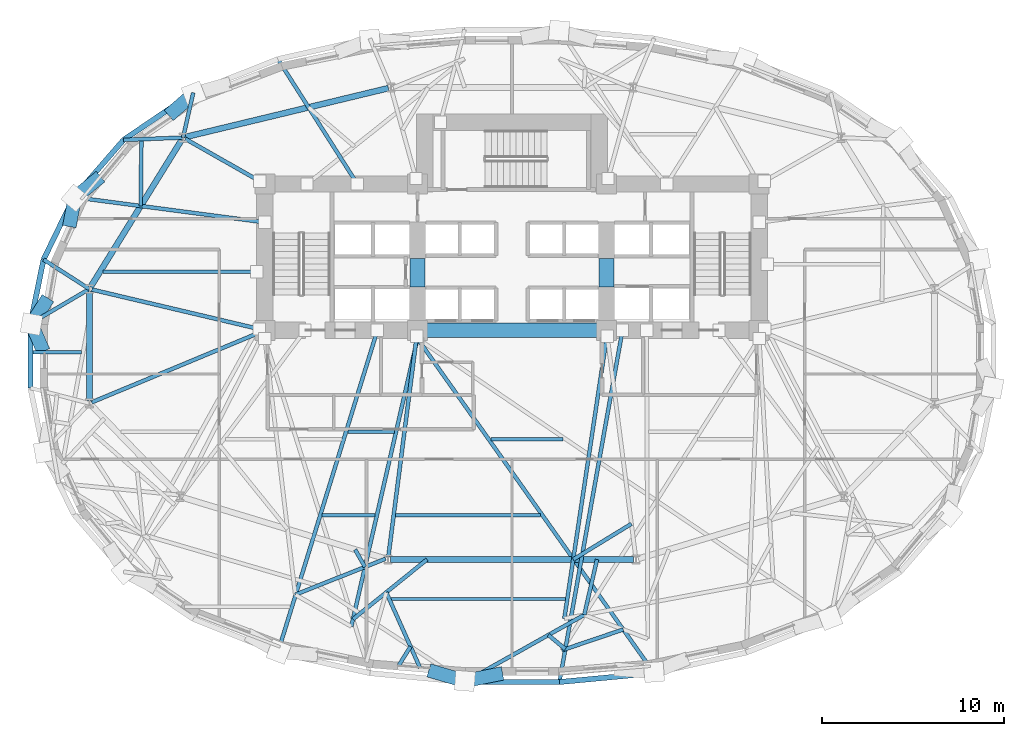
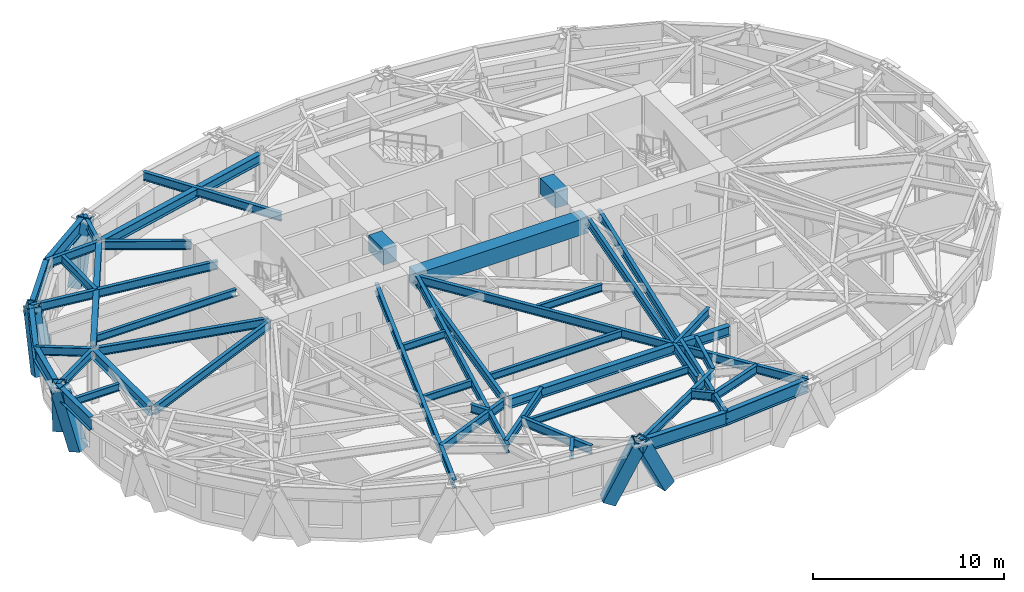
# One storey, part 2 of 13: 47 beams, 7 members.
"""IFC4 building model written with IfcOpenShell, lengths in metres."""

from ifc_helpers import new_model, si_unit, direction, frame, origin, origin_2d, place, context, subcontext, project, spatial, rectangle, hollow_rectangle, i_section, extrude, material, material_profile, profile_set, type_object, element, save


model = new_model("IFC4")

# Units and contexts
model_context = context("Model", 3, precision=1e-05, world=origin(), true_north=direction((0.0, 1.0)))
body_context = subcontext(model_context, "Body", "Model", "MODEL_VIEW")
ifc_project = project(units=[si_unit("LENGTHUNIT", "METRE"), si_unit("AREAUNIT", "SQUARE_METRE"), si_unit("VOLUMEUNIT", "CUBIC_METRE"), si_unit("PLANEANGLEUNIT", "RADIAN"), si_unit("MASSUNIT", "GRAM", prefix="KILO")], contexts=[model_context])

# Site, building, storey
site_placement = place(None, origin())
site = spatial("IfcSite", under=ifc_project, at=site_placement, CompositionType="ELEMENT")
building_placement = place(site_placement, origin())
building = spatial("IfcBuilding", under=site, at=building_placement, Name="Keldmark Tower", CompositionType="ELEMENT")
storey_placement = place(building_placement, frame((0.0, 0.0, 34.199951171875)))
storey = spatial("IfcBuildingStorey", under=building, at=storey_placement, Name="L08", CompositionType="ELEMENT", Elevation=34.199951171875)

# Beams
ifc_material_1 = material(Name="Steel ASTM A992 Grade 50", Category="steel")
ifc_material_profile_1 = material_profile(ifc_material_1, i_section(OverallWidth=0.19091796875, OverallDepth=0.45703125, WebThickness=0.009033203125, FlangeThickness=0.014404296875, at=origin_2d()), Name="W18X50")
ifc_profile_set_1 = profile_set([ifc_material_profile_1], Name="Steel ASTM A992 Grade 50")
beam_type_1 = type_object("IfcBeamType", Name="Composite Floor Joist W18X50", PredefinedType="JOIST", material=ifc_profile_set_1)
beam_1_placement = place(storey_placement, frame((-6.648193359375, -13.3798828125, 3.171630859375), z_axis=(1.0, 0.0, 0.0), x_axis=(0.0, 1.0, 0.0)))
element("IfcBeam", 1, at=beam_1_placement, inside=storey, type_object=beam_type_1, Name="L08 Composite Floor Joist J02", PredefinedType="JOIST", context=body_context, shape_type="SweptSolid", body=[
    extrude(i_section(OverallWidth=0.19091796875, OverallDepth=0.45703125, WebThickness=0.009033203125, FlangeThickness=0.014404296875, at=origin_2d()), origin(), (0.0, 0.0, 1.0), 9.591796875),
])
beam_2_placement = place(storey_placement, frame((-10.443603515625, -8.780029296875, 3.171630859375), z_axis=(1.0, 0.0, 0.0), x_axis=(0.0, 1.0, 0.0)))
element("IfcBeam", 2, at=beam_2_placement, inside=storey, type_object=beam_type_1, Name="L08 Composite Floor Joist J03", PredefinedType="JOIST", context=body_context, shape_type="SweptSolid", body=[
    extrude(i_section(OverallWidth=0.19091796875, OverallDepth=0.45703125, WebThickness=0.009033203125, FlangeThickness=0.014404296875, at=origin_2d()), origin(), (0.0, 0.0, 1.0), 2.908447265625),
])
beam_3_placement = place(storey_placement, frame((-6.4111328125, -8.780029296875, 3.171630859375), z_axis=(1.0, 0.0, 0.0), x_axis=(0.0, 1.0, 0.0)))
element("IfcBeam", 3, at=beam_3_placement, inside=storey, type_object=beam_type_1, Name="L08 Composite Floor Joist J04", PredefinedType="JOIST", context=body_context, shape_type="SweptSolid", body=[
    extrude(i_section(OverallWidth=0.19091796875, OverallDepth=0.45703125, WebThickness=0.009033203125, FlangeThickness=0.014404296875, at=origin_2d()), origin(), (0.0, 0.0, 1.0), 7.973388671875),
])
beam_4_placement = place(storey_placement, frame((-9.030517578125, -4.179931640625, 3.171630859375), z_axis=(1.0, 0.0, 0.0), x_axis=(0.0, 1.0, 0.0)))
element("IfcBeam", 4, at=beam_4_placement, inside=storey, type_object=beam_type_1, Name="L08 Composite Floor Joist J08", PredefinedType="JOIST", context=body_context, shape_type="SweptSolid", body=[
    extrude(i_section(OverallWidth=0.19091796875, OverallDepth=0.45703125, WebThickness=0.009033203125, FlangeThickness=0.014404296875, at=origin_2d()), origin(), (0.0, 0.0, 1.0), 2.552734375),
])
beam_5_placement = place(storey_placement, frame((-1.156494140625, -4.60009765625, 3.171630859375), z_axis=(1.0, 0.0, 0.0), x_axis=(0.0, 1.0, 0.0)))
element("IfcBeam", 5, at=beam_5_placement, inside=storey, type_object=beam_type_1, Name="L08 Composite Floor Joist J09", PredefinedType="JOIST", context=body_context, shape_type="SweptSolid", body=[
    extrude(i_section(OverallWidth=0.19091796875, OverallDepth=0.45703125, WebThickness=0.009033203125, FlangeThickness=0.014404296875, at=origin_2d()), origin(), (0.0, 0.0, 1.0), 3.962646484375),
])
beam_6_placement = place(storey_placement, frame((-26.3583984375, 0.199951171875, 3.171630859375), z_axis=(1.0, 0.0, 0.0), x_axis=(0.0, 1.0, 0.0)))
element("IfcBeam", 6, at=beam_6_placement, inside=storey, type_object=beam_type_1, Name="L08 Composite Floor Joist J13", PredefinedType="JOIST", context=body_context, shape_type="SweptSolid", body=[
    extrude(i_section(OverallWidth=0.19091796875, OverallDepth=0.45703125, WebThickness=0.009033203125, FlangeThickness=0.014404296875, at=origin_2d()), origin(), (0.0, 0.0, 1.0), 2.66455078125),
])
beam_7_placement = place(storey_placement, frame((-22.489501953125, 4.6201171875, 3.171630859375), z_axis=(1.0, 0.0, 0.0), x_axis=(0.0, 1.0, 0.0)))
element("IfcBeam", 7, at=beam_7_placement, inside=storey, type_object=beam_type_1, Name="L08 Composite Floor Joist J14", PredefinedType="JOIST", context=body_context, shape_type="SweptSolid", body=[
    extrude(i_section(OverallWidth=0.19091796875, OverallDepth=0.45703125, WebThickness=0.009033203125, FlangeThickness=0.014404296875, at=origin_2d()), origin(), (0.0, 0.0, 1.0), 8.444580078125),
])
ifc_material_2 = material(Name="Concrete C70/85", Category="concrete")
ifc_material_profile_2 = material_profile(ifc_material_2, rectangle(XDim=0.800048828125, YDim=1.0, at=origin_2d()), Name="RCB800X1000")
ifc_profile_set_2 = profile_set([ifc_material_profile_2], Name="Concrete C70/85")
beam_type_2 = type_object("IfcBeamType", Name="Core Coupling Beam RCB800X1000", PredefinedType="USERDEFINED", material=ifc_profile_set_2)
for number, where, z_axis, x_axis, name in (
    (8, (-5.199951171875, 3.800048828125, 2.900146484375), (0.0, 1.0, 0.0), (-1.0, 0.0, 0.0), "L08 West Core Coupling Beam"),
    (9, (5.199951171875, 3.800048828125, 2.900146484375), (0.0, 1.0, 0.0), (-1.0, 0.0, 0.0), "L08 East Core Coupling Beam"),
):
    element("IfcBeam", number, at=place(storey_placement, frame(where, z_axis=z_axis, x_axis=x_axis)), inside=storey, type_object=beam_type_2, Name=name, ObjectType="COUPLING BEAM", PredefinedType="USERDEFINED", context=body_context, shape_type="SweptSolid", body=[
        extrude(rectangle(XDim=0.800048828125, YDim=1.0, at=origin_2d()), origin(), (0.0, 0.0, 1.0), 1.550048828125),
    ])
beam_8_placement = place(storey_placement, frame((-5.199951171875, 1.39990234375, 2.900146484375), z_axis=(1.0, 0.0, 0.0), x_axis=(0.0, 1.0, 0.0)))
element("IfcBeam", 10, at=beam_8_placement, inside=storey, type_object=beam_type_2, Name="L08 Central South Core Coupling Beam", ObjectType="COUPLING BEAM", PredefinedType="USERDEFINED", context=body_context, shape_type="SweptSolid", body=[
    extrude(rectangle(XDim=0.800048828125, YDim=1.0, at=origin_2d()), origin(), (0.0, 0.0, 1.0), 10.39990234375),
])

# Members
ifc_material_3 = material(Name="Steel ASTM A572 Grade 50", Category="steel")
ifc_material_profile_3 = material_profile(ifc_material_3, hollow_rectangle(XDim=0.75, YDim=0.75, WallThickness=0.06494140625, at=origin_2d()), Name="BOX750X750X65")
ifc_profile_set_3 = profile_set([ifc_material_profile_3], Name="Steel ASTM A572 Grade 50")
member_type = type_object("IfcMemberType", Name="Diagrid Lower Brace BOX750X750X65", PredefinedType="BRACE", material=ifc_profile_set_3)
member_1_placement = place(storey_placement, frame((-18.6259765625, 13.451416015625, -0.280029296875), z_axis=(0.291662540177, 0.253330833531, 0.922364597889), x_axis=(-0.655752973742, 0.754975521079, 0.0)))
element("IfcMember", 11, at=member_1_placement, inside=storey, type_object=member_type, Name="L08 Perimeter Diagrid Brace 06B", PredefinedType="BRACE", context=body_context, shape_type="SweptSolid", body=[
    extrude(hollow_rectangle(XDim=0.75, YDim=0.75, WallThickness=0.06494140625, at=origin_2d()), origin(), (0.0, 0.0, 1.0), 3.859619140625),
])
member_2_placement = place(storey_placement, frame((-22.906982421875, 9.64013671875, -0.280029296875), z_axis=(-0.298593278648, -0.246171883477, 0.922085385272), x_axis=(0.636125267427, -0.771585798302, 0.0)))
element("IfcMember", 12, at=member_2_placement, inside=storey, type_object=member_type, Name="L08 Perimeter Diagrid Brace 07A", PredefinedType="BRACE", context=body_context, shape_type="SweptSolid", body=[
    extrude(hollow_rectangle(XDim=0.75, YDim=0.75, WallThickness=0.06494140625, at=origin_2d()), origin(), (0.0, 0.0, 1.0), 3.86083984375),
])
member_3_placement = place(storey_placement, frame((-24.29052734375, 7.4599609375, -0.280029296875), z_axis=(0.062761039985, 0.328218909415, 0.942514402735), x_axis=(-0.982204569677, 0.187814225513, 0.0)))
element("IfcMember", 13, at=member_3_placement, inside=storey, type_object=member_type, Name="L08 Perimeter Diagrid Brace 07B", PredefinedType="BRACE", context=body_context, shape_type="SweptSolid", body=[
    extrude(hollow_rectangle(XDim=0.75, YDim=0.75, WallThickness=0.06494140625, at=origin_2d()), origin(), (0.0, 0.0, 1.0), 3.777099609375),
])
member_4_placement = place(storey_placement, frame((-25.720703125, 2.875244140625, -0.280029296875), z_axis=(-0.188666899417, -0.295907785063, 0.936399158374), x_axis=(0.843194018892, -0.537609380969, 0.0)))
element("IfcMember", 14, at=member_4_placement, inside=storey, type_object=member_type, Name="L08 Perimeter Diagrid Brace 08A", PredefinedType="BRACE", context=body_context, shape_type="SweptSolid", body=[
    extrude(hollow_rectangle(XDim=0.75, YDim=0.75, WallThickness=0.06494140625, at=origin_2d()), origin(), (0.0, 0.0, 1.0), 3.8017578125),
])
member_5_placement = place(storey_placement, frame((-25.923095703125, 0.57177734375, -0.280029296875), z_axis=(-0.135265624771, 0.314094642752, 0.93970621268), x_axis=(-0.918451585757, -0.39553341783, 0.0)))
element("IfcMember", 15, at=member_5_placement, inside=storey, type_object=member_type, Name="L08 Perimeter Diagrid Brace 08B", PredefinedType="BRACE", context=body_context, shape_type="SweptSolid", body=[
    extrude(hollow_rectangle(XDim=0.75, YDim=0.75, WallThickness=0.06494140625, at=origin_2d()), origin(), (0.0, 0.0, 1.0), 3.78857421875),
])
member_6_placement = place(storey_placement, frame((-4.25390625, -17.400146484375, -0.280029296875), z_axis=(0.419694781518, -0.123639147362, 0.899205010888), x_axis=(0.282585976915, 0.959241974504, 0.0)))
element("IfcMember", 16, at=member_6_placement, inside=storey, type_object=member_type, Name="L08 Perimeter Diagrid Brace 12A", PredefinedType="BRACE", context=body_context, shape_type="SweptSolid", body=[
    extrude(hollow_rectangle(XDim=0.75, YDim=0.75, WallThickness=0.06494140625, at=origin_2d()), origin(), (0.0, 0.0, 1.0), 3.959228515625),
])
member_7_placement = place(storey_placement, frame((-0.84716796875, -17.53662109375, -0.280029296875), z_axis=(-0.440768792852, -0.087969977281, 0.893299588237), x_axis=(0.195722954023, -0.980659229941, 0.0)))
element("IfcMember", 17, at=member_7_placement, inside=storey, type_object=member_type, Name="L08 Perimeter Diagrid Brace 12B", PredefinedType="BRACE", context=body_context, shape_type="SweptSolid", body=[
    extrude(hollow_rectangle(XDim=0.75, YDim=0.75, WallThickness=0.06494140625, at=origin_2d()), origin(), (0.0, 0.0, 1.0), 3.9853515625),
])

# Beams
ifc_material_4 = material(Name="Steel ASTM A992 Grade 50", Category="steel")
ifc_material_profile_4 = material_profile(ifc_material_4, i_section(OverallWidth=0.323974609375, OverallDepth=0.611083984375, WebThickness=0.0126953125, FlangeThickness=0.01904296875, at=origin_2d()), Name="W24X104")
ifc_profile_set_4 = profile_set([ifc_material_profile_4], Name="Steel ASTM A992 Grade 50")
beam_type_3 = type_object("IfcBeamType", Name="Primary Floor Girder W24X104", PredefinedType="BEAM", material=ifc_profile_set_4)
beam_9_placement = place(storey_placement, frame((-6.80126953125, 14.727294921875, 3.094482421875), z_axis=(-0.972218707757, -0.2340743136, 0.0), x_axis=(0.2340743136, -0.972218707757, 0.0)))
element("IfcBeam", 18, at=beam_9_placement, inside=storey, type_object=beam_type_3, Name="L08 Floor Ring Girder FG-R04", PredefinedType="BEAM", context=body_context, shape_type="SweptSolid", body=[
    extrude(i_section(OverallWidth=0.323974609375, OverallDepth=0.611083984375, WebThickness=0.0126953125, FlangeThickness=0.01904296875, at=origin_2d()), origin(), (0.0, 0.0, 1.0), 11.479248046875),
])
beam_10_placement = place(storey_placement, frame((-18.17138671875, 11.888427734375, 3.094482421875), z_axis=(-0.526318405849, -0.850287560573, 0.0), x_axis=(0.850287560573, -0.526318405849, 0.0)))
element("IfcBeam", 19, at=beam_10_placement, inside=storey, type_object=beam_type_3, Name="L08 Floor Ring Girder FG-R05", PredefinedType="BEAM", context=body_context, shape_type="SweptSolid", body=[
    extrude(i_section(OverallWidth=0.323974609375, OverallDepth=0.611083984375, WebThickness=0.0126953125, FlangeThickness=0.01904296875, at=origin_2d()), origin(), (0.0, 0.0, 1.0), 9.51708984375),
])
beam_11_placement = place(storey_placement, frame((-23.25390625, 3.537109375, 3.094482421875), z_axis=(0.0, -1.0, 0.0), x_axis=(1.0, 0.0, 0.0)))
element("IfcBeam", 20, at=beam_11_placement, inside=storey, type_object=beam_type_3, Name="L08 Floor Ring Girder FG-R06", PredefinedType="BEAM", context=body_context, shape_type="SweptSolid", body=[
    extrude(i_section(OverallWidth=0.323974609375, OverallDepth=0.611083984375, WebThickness=0.0126953125, FlangeThickness=0.01904296875, at=origin_2d()), origin(), (0.0, 0.0, 1.0), 6.01025390625),
])
beam_12_placement = place(storey_placement, frame((-6.68212890625, -11.205810546875, 3.094482421875), z_axis=(1.0, 0.0, 0.0), x_axis=(0.0, 1.0, 0.0)))
element("IfcBeam", 21, at=beam_12_placement, inside=storey, type_object=beam_type_3, Name="L08 Floor Ring Girder FG-R09", PredefinedType="BEAM", context=body_context, shape_type="SweptSolid", body=[
    extrude(i_section(OverallWidth=0.323974609375, OverallDepth=0.611083984375, WebThickness=0.0126953125, FlangeThickness=0.01904296875, at=origin_2d()), origin(), (0.0, 0.0, 1.0), 13.3642578125),
])
ifc_material_5 = material(Name="Steel ASTM A992 Grade 50", Category="steel")
ifc_material_profile_5 = material_profile(ifc_material_5, i_section(OverallWidth=0.2099609375, OverallDepth=0.537109375, WebThickness=0.010986328125, FlangeThickness=0.017333984375, at=origin_2d()), Name="W21X68")
ifc_profile_set_5 = profile_set([ifc_material_profile_5], Name="Steel ASTM A992 Grade 50")
beam_type_4 = type_object("IfcBeamType", Name="Radial Tie Girder W21X68", PredefinedType="BEAM", material=ifc_profile_set_5)
beam_13_placement = place(storey_placement, frame((6.569580078125, -9.24462890625, 3.131591796875), z_axis=(-0.852699375657, -0.52240192836, 0.0), x_axis=(0.52240192836, -0.852699375657, 0.0)))
element("IfcBeam", 22, at=beam_13_placement, inside=storey, type_object=beam_type_4, Name="L08 Framing Pin Header PH-001", PredefinedType="BEAM", context=body_context, shape_type="SweptSolid", body=[
    extrude(i_section(OverallWidth=0.2099609375, OverallDepth=0.537109375, WebThickness=0.010986328125, FlangeThickness=0.017333984375, at=origin_2d()), origin(), (0.0, 0.0, 1.0), 3.754150390625),
])
beam_14_placement = place(storey_placement, frame((5.199951171875, 0.949951171875, 3.131591796875), z_axis=(-0.148994825395, -0.988837975608, 0.0), x_axis=(0.988837975608, -0.148994825395, 0.0)))
element("IfcBeam", 23, at=beam_14_placement, inside=storey, type_object=beam_type_4, Name="L08 Sub-Ring Step Girder STP2-M10", PredefinedType="BEAM", context=body_context, shape_type="SweptSolid", body=[
    extrude(i_section(OverallWidth=0.2099609375, OverallDepth=0.537109375, WebThickness=0.010986328125, FlangeThickness=0.017333984375, at=origin_2d()), origin(), (0.0, 0.0, 1.0), 15.57958984375),
])
beam_15_placement = place(storey_placement, frame((-8.507080078125, 9.449951171875, 3.131591796875), z_axis=(-0.536914239686, 0.843636828987, 0.0), x_axis=(-0.843636828987, -0.536914239686, 0.0)))
element("IfcBeam", 24, at=beam_15_placement, inside=storey, type_object=beam_type_4, Name="L08 Perimeter Radial Tie Girder RT-11", PredefinedType="BEAM", context=body_context, shape_type="SweptSolid", body=[
    extrude(i_section(OverallWidth=0.2099609375, OverallDepth=0.537109375, WebThickness=0.010986328125, FlangeThickness=0.017333984375, at=origin_2d()), origin(), (0.0, 0.0, 1.0), 8.15380859375),
])
beam_16_placement = place(storey_placement, frame((-18.09765625, 12.00732421875, 3.131591796875), z_axis=(0.221003979006, 0.975272906044, 0.0), x_axis=(-0.975272906044, 0.221003979006, 0.0)))
element("IfcBeam", 25, at=beam_16_placement, inside=storey, type_object=beam_type_4, Name="L08 Perimeter Column Bracket RT-12", PredefinedType="BEAM", context=body_context, shape_type="SweptSolid", body=[
    extrude(i_section(OverallWidth=0.2099609375, OverallDepth=0.537109375, WebThickness=0.010986328125, FlangeThickness=0.017333984375, at=origin_2d()), origin(), (0.0, 0.0, 1.0), 2.53076171875),
])
beam_17_placement = place(storey_placement, frame((-18.09765625, 12.00732421875, 3.131591796875), z_axis=(-0.999242785222, -0.03890830478, 0.0), x_axis=(0.03890830478, -0.999242785222, 0.0)))
element("IfcBeam", 26, at=beam_17_placement, inside=storey, type_object=beam_type_4, Name="L08 Perimeter Column Bracket RT-13", PredefinedType="BEAM", context=body_context, shape_type="SweptSolid", body=[
    extrude(i_section(OverallWidth=0.2099609375, OverallDepth=0.537109375, WebThickness=0.010986328125, FlangeThickness=0.017333984375, at=origin_2d()), origin(), (0.0, 0.0, 1.0), 3.275390625),
])
beam_18_placement = place(storey_placement, frame((-20.388671875, 11.918212890625, 3.131591796875), z_axis=(-0.010627804154, -0.999943523295, 0.0), x_axis=(0.999943523295, -0.010627804154, 0.0)))
element("IfcBeam", 27, at=beam_18_placement, inside=storey, type_object=beam_type_4, Name="L08 Framing Pin Header PH-010", PredefinedType="BEAM", context=body_context, shape_type="SweptSolid", body=[
    extrude(i_section(OverallWidth=0.2099609375, OverallDepth=0.537109375, WebThickness=0.010986328125, FlangeThickness=0.017333984375, at=origin_2d()), origin(), (0.0, 0.0, 1.0), 3.675537109375),
])
beam_19_placement = place(storey_placement, frame((-13.60009765625, 7.343017578125, 3.131591796875), z_axis=(-0.991425178429, 0.13067561202, 0.0), x_axis=(-0.13067561202, -0.991425178429, 0.0)))
element("IfcBeam", 28, at=beam_19_placement, inside=storey, type_object=beam_type_4, Name="L08 Perimeter Radial Tie Girder RT-14", PredefinedType="BEAM", context=body_context, shape_type="SweptSolid", body=[
    extrude(i_section(OverallWidth=0.2099609375, OverallDepth=0.537109375, WebThickness=0.010986328125, FlangeThickness=0.017333984375, at=origin_2d()), origin(), (0.0, 0.0, 1.0), 10.596923828125),
])
beam_20_placement = place(storey_placement, frame((-23.25390625, 3.67724609375, 3.131591796875), z_axis=(-0.841477452881, 0.540292232308, 0.0), x_axis=(-0.540292232308, -0.841477452881, 0.0)))
element("IfcBeam", 29, at=beam_20_placement, inside=storey, type_object=beam_type_4, Name="L08 Perimeter Column Bracket RT-15", PredefinedType="BEAM", context=body_context, shape_type="SweptSolid", body=[
    extrude(i_section(OverallWidth=0.2099609375, OverallDepth=0.537109375, WebThickness=0.010986328125, FlangeThickness=0.017333984375, at=origin_2d()), origin(), (0.0, 0.0, 1.0), 2.996826171875),
])
beam_21_placement = place(storey_placement, frame((-23.25390625, 3.67724609375, 3.131591796875), z_axis=(-0.861593704402, -0.507598550564, 0.0), x_axis=(0.507598550564, -0.861593704402, 0.0)))
element("IfcBeam", 30, at=beam_21_placement, inside=storey, type_object=beam_type_4, Name="L08 Perimeter Column Bracket RT-16", PredefinedType="BEAM", context=body_context, shape_type="SweptSolid", body=[
    extrude(i_section(OverallWidth=0.2099609375, OverallDepth=0.537109375, WebThickness=0.010986328125, FlangeThickness=0.017333984375, at=origin_2d()), origin(), (0.0, 0.0, 1.0), 3.76220703125),
])
beam_22_placement = place(storey_placement, frame((-6.9560546875, -11.165283203125, 3.131591796875), z_axis=(-0.929095806659, -0.369839129958, 0.0), x_axis=(0.369839129958, -0.929095806659, 0.0)))
element("IfcBeam", 31, at=beam_22_placement, inside=storey, type_object=beam_type_4, Name="L08 Local Collector Chord RT-22C", PredefinedType="BEAM", context=body_context, shape_type="SweptSolid", body=[
    extrude(i_section(OverallWidth=0.2099609375, OverallDepth=0.537109375, WebThickness=0.010986328125, FlangeThickness=0.017333984375, at=origin_2d()), origin(), (0.0, 0.0, 1.0), 5.346435546875),
])
beam_23_placement = place(storey_placement, frame((-7.406982421875, 1.39990234375, 3.131591796875), z_axis=(-0.295219144488, -0.955429566597, 0.0), x_axis=(0.955429566597, -0.295219144488, 0.0)))
element("IfcBeam", 32, at=beam_23_placement, inside=storey, type_object=beam_type_4, Name="L08 Perimeter Radial Tie Girder RT-22", PredefinedType="BEAM", context=body_context, shape_type="SweptSolid", body=[
    extrude(i_section(OverallWidth=0.2099609375, OverallDepth=0.537109375, WebThickness=0.010986328125, FlangeThickness=0.017333984375, at=origin_2d()), origin(), (0.0, 0.0, 1.0), 18.555908203125),
])
beam_24_placement = place(storey_placement, frame((-8.630615234375, -10.659912109375, 3.131591796875), z_axis=(0.493242293941, -0.869891969999, 0.0), x_axis=(0.869891969999, 0.493242293941, 0.0)))
element("IfcBeam", 33, at=beam_24_placement, inside=storey, type_object=beam_type_4, Name="L08 Framing Pin Header PH-018", PredefinedType="BEAM", context=body_context, shape_type="SweptSolid", body=[
    extrude(i_section(OverallWidth=0.2099609375, OverallDepth=0.537109375, WebThickness=0.010986328125, FlangeThickness=0.017333984375, at=origin_2d()), origin(), (0.0, 0.0, 1.0), 1.099365234375),
])
beam_25_placement = place(storey_placement, frame((-5.199951171875, 0.949951171875, 3.131591796875), z_axis=(-0.224025721, -0.974583232121, 0.0), x_axis=(0.974583232121, -0.224025721, 0.0)))
element("IfcBeam", 34, at=beam_25_placement, inside=storey, type_object=beam_type_4, Name="L08 Intermediate Radial Step Girder RT-23M", PredefinedType="BEAM", context=body_context, shape_type="SweptSolid", body=[
    extrude(i_section(OverallWidth=0.2099609375, OverallDepth=0.537109375, WebThickness=0.010986328125, FlangeThickness=0.017333984375, at=origin_2d()), origin(), (0.0, 0.0, 1.0), 16.254150390625),
])
beam_26_placement = place(storey_placement, frame((-4.677490234375, -11.205810546875, 3.131591796875), z_axis=(-0.778012200924, -0.628249166504, 0.0), x_axis=(0.628249166504, -0.778012200924, 0.0)))
element("IfcBeam", 35, at=beam_26_placement, inside=storey, type_object=beam_type_4, Name="L08 Framing Pin Header PH-019", PredefinedType="BEAM", context=body_context, shape_type="SweptSolid", body=[
    extrude(i_section(OverallWidth=0.2099609375, OverallDepth=0.537109375, WebThickness=0.010986328125, FlangeThickness=0.017333984375, at=origin_2d()), origin(), (0.0, 0.0, 1.0), 5.234619140625),
])
beam_27_placement = place(storey_placement, frame((4.677490234375, -11.205810546875, 3.131591796875), z_axis=(-0.22374107457, -0.974648619529, 0.0), x_axis=(0.974648619529, -0.22374107457, 0.0)))
element("IfcBeam", 36, at=beam_27_placement, inside=storey, type_object=beam_type_4, Name="L08 Framing Pin Header PH-020", PredefinedType="BEAM", context=body_context, shape_type="SweptSolid", body=[
    extrude(i_section(OverallWidth=0.2099609375, OverallDepth=0.537109375, WebThickness=0.010986328125, FlangeThickness=0.017333984375, at=origin_2d()), origin(), (0.0, 0.0, 1.0), 3.125244140625),
])
beam_28_placement = place(storey_placement, frame((2.744140625, -16.201416015625, 3.131591796875), z_axis=(0.947151959325, 0.320785233368, 0.0), x_axis=(-0.320785233368, 0.947151959325, 0.0)))
element("IfcBeam", 37, at=beam_28_placement, inside=storey, type_object=beam_type_4, Name="L08 Framing Pin Header PH-022", PredefinedType="BEAM", context=body_context, shape_type="SweptSolid", body=[
    extrude(i_section(OverallWidth=0.2099609375, OverallDepth=0.537109375, WebThickness=0.010986328125, FlangeThickness=0.017333984375, at=origin_2d()), origin(), (0.0, 0.0, 1.0), 3.56494140625),
])
beam_29_placement = place(storey_placement, frame((-5.199951171875, 0.949951171875, 3.131591796875), z_axis=(0.577392900713, -0.816466434219, 0.0), x_axis=(0.816466434219, 0.577392900713, 0.0)))
element("IfcBeam", 38, at=beam_29_placement, inside=storey, type_object=beam_type_4, Name="L08 Perimeter Radial Tie Girder RT-26", PredefinedType="BEAM", context=body_context, shape_type="SweptSolid", body=[
    extrude(i_section(OverallWidth=0.2099609375, OverallDepth=0.537109375, WebThickness=0.010986328125, FlangeThickness=0.017333984375, at=origin_2d()), origin(), (0.0, 0.0, 1.0), 22.548095703125),
])
beam_30_placement = place(storey_placement, frame((-5.058837890625, -17.165283203125, 3.131591796875), z_axis=(-0.40869209978, 0.912672322127, 0.0), x_axis=(-0.912672322127, -0.40869209978, 0.0)))
element("IfcBeam", 39, at=beam_30_placement, inside=storey, type_object=beam_type_4, Name="L08 Crown Step Collector Chord RT-24RP1", PredefinedType="BEAM", context=body_context, shape_type="SweptSolid", body=[
    extrude(i_section(OverallWidth=0.2099609375, OverallDepth=0.537109375, WebThickness=0.010986328125, FlangeThickness=0.017333984375, at=origin_2d()), origin(), (0.0, 0.0, 1.0), 4.5478515625),
])
beam_31_placement = place(storey_placement, frame((-6.23291015625, -17.039794921875, 3.131591796875), z_axis=(0.528464011572, 0.848955704659, 0.0), x_axis=(-0.848955704659, 0.528464011572, 0.0)))
element("IfcBeam", 40, at=beam_31_placement, inside=storey, type_object=beam_type_4, Name="L08 Framing Pin Header PH-029", PredefinedType="BEAM", context=body_context, shape_type="SweptSolid", body=[
    extrude(i_section(OverallWidth=0.2099609375, OverallDepth=0.537109375, WebThickness=0.010986328125, FlangeThickness=0.017333984375, at=origin_2d()), origin(), (0.0, 0.0, 1.0), 1.230224609375),
])
beam_32_placement = place(storey_placement, frame((-2.609619140625, -17.947021484375, 3.131591796875), z_axis=(0.872161877581, 0.489217394718, 0.0), x_axis=(-0.489217394718, 0.872161877581, 0.0)))
element("IfcBeam", 41, at=beam_32_placement, inside=storey, type_object=beam_type_4, Name="L08 Straddling Support Chord RT-25RB", PredefinedType="BEAM", context=body_context, shape_type="SweptSolid", body=[
    extrude(i_section(OverallWidth=0.2099609375, OverallDepth=0.537109375, WebThickness=0.010986328125, FlangeThickness=0.017333984375, at=origin_2d()), origin(), (0.0, 0.0, 1.0), 7.553466796875),
])
beam_33_placement = place(storey_placement, frame((2.001953125, -15.3603515625, 3.131591796875), z_axis=(0.768188294684, -0.640223979488, 0.0), x_axis=(0.640223979488, 0.768188294684, 0.0)))
element("IfcBeam", 42, at=beam_33_placement, inside=storey, type_object=beam_type_4, Name="L08 Framing Pin Header PH-030", PredefinedType="BEAM", context=body_context, shape_type="SweptSolid", body=[
    extrude(i_section(OverallWidth=0.2099609375, OverallDepth=0.537109375, WebThickness=0.010986328125, FlangeThickness=0.017333984375, at=origin_2d()), origin(), (0.0, 0.0, 1.0), 1.21337890625),
])
beam_34_placement = place(storey_placement, frame((6.07861328125, 1.39990234375, 3.131591796875), z_axis=(-0.176490039399, -0.984302426083, 0.0), x_axis=(0.984302426083, -0.176490039399, 0.0)))
element("IfcBeam", 43, at=beam_34_placement, inside=storey, type_object=beam_type_4, Name="L08 Perimeter Radial Tie Girder RT-25R", PredefinedType="BEAM", context=body_context, shape_type="SweptSolid", body=[
    extrude(i_section(OverallWidth=0.2099609375, OverallDepth=0.537109375, WebThickness=0.010986328125, FlangeThickness=0.017333984375, at=origin_2d()), origin(), (0.0, 0.0, 1.0), 19.655517578125),
])
ifc_material_6 = material(Name="Steel ASTM A992 Grade 50", Category="steel")
ifc_material_profile_6 = material_profile(ifc_material_6, i_section(OverallWidth=0.214111328125, OverallDepth=0.549072265625, WebThickness=0.0146484375, FlangeThickness=0.023681640625, at=origin_2d()), Name="W21X93")
ifc_profile_set_6 = profile_set([ifc_material_profile_6], Name="Steel ASTM A992 Grade 50")
beam_type_5 = type_object("IfcBeamType", Name="Radial Tie Girder W21X93", PredefinedType="BEAM", material=ifc_profile_set_6)
beam_35_placement = place(storey_placement, frame((-17.97607421875, 11.938232421875, 3.12548828125), z_axis=(0.869299282131, -0.494286109542, 0.0), x_axis=(0.494286109542, 0.869299282131, 0.0)))
element("IfcBeam", 44, at=beam_35_placement, inside=storey, type_object=beam_type_5, Name="L08 Floor Radial Girder FG-C05", PredefinedType="BEAM", context=body_context, shape_type="SweptSolid", body=[
    extrude(i_section(OverallWidth=0.214111328125, OverallDepth=0.549072265625, WebThickness=0.0146484375, FlangeThickness=0.023681640625, at=origin_2d()), origin(), (0.0, 0.0, 1.0), 4.714111328125),
])
beam_36_placement = place(storey_placement, frame((-23.11767578125, 3.64501953125, 3.12548828125), z_axis=(0.973287364179, -0.229590301909, 0.0), x_axis=(0.229590301909, 0.973287364179, 0.0)))
element("IfcBeam", 45, at=beam_36_placement, inside=storey, type_object=beam_type_5, Name="L08 Floor Radial Girder FG-C06", PredefinedType="BEAM", context=body_context, shape_type="SweptSolid", body=[
    extrude(i_section(OverallWidth=0.214111328125, OverallDepth=0.549072265625, WebThickness=0.0146484375, FlangeThickness=0.023681640625, at=origin_2d()), origin(), (0.0, 0.0, 1.0), 9.458740234375),
])
beam_37_placement = place(storey_placement, frame((-23.124755859375, -2.5595703125, 3.12548828125), z_axis=(0.923390978102, 0.383860784088, 0.0), x_axis=(-0.383860784088, 0.923390978102, 0.0)))
element("IfcBeam", 46, at=beam_37_placement, inside=storey, type_object=beam_type_5, Name="L08 Floor Radial Girder FG-C07", PredefinedType="BEAM", context=body_context, shape_type="SweptSolid", body=[
    extrude(i_section(OverallWidth=0.214111328125, OverallDepth=0.549072265625, WebThickness=0.0146484375, FlangeThickness=0.023681640625, at=origin_2d()), origin(), (0.0, 0.0, 1.0), 9.994873046875),
])
beam_38_placement = place(storey_placement, frame((-6.80419921875, -11.06689453125, 3.12548828125), z_axis=(0.127634898593, 0.99182122011, 0.0), x_axis=(-0.99182122011, 0.127634898593, 0.0)))
element("IfcBeam", 47, at=beam_38_placement, inside=storey, type_object=beam_type_5, Name="L08 Floor Radial Girder FG-C09", PredefinedType="BEAM", context=body_context, shape_type="SweptSolid", body=[
    extrude(i_section(OverallWidth=0.214111328125, OverallDepth=0.549072265625, WebThickness=0.0146484375, FlangeThickness=0.023681640625, at=origin_2d()), origin(), (0.0, 0.0, 1.0), 12.24951171875),
])
ifc_material_7 = material(Name="Steel ASTM A992 Grade 50", Category="steel")
ifc_material_profile_7 = material_profile(ifc_material_7, i_section(OverallWidth=0.2919921875, OverallDepth=0.85888671875, WebThickness=0.01708984375, FlangeThickness=0.031005859375, at=origin_2d()), Name="W33X169")
ifc_profile_set_7 = profile_set([ifc_material_profile_7], Name="Steel ASTM A992 Grade 50")
beam_type_6 = type_object("IfcBeamType", Name="Spandrel Ring Beam W33X169", PredefinedType="SPANDREL", material=ifc_profile_set_7)
beam_39_placement = place(storey_placement, frame((-17.538330078125, 14.4755859375, 2.970458984375), z_axis=(-0.827954241597, -0.560795661379, 0.0), x_axis=(0.560795661379, -0.827954241597, 0.0)))
element("IfcBeam", 48, at=beam_39_placement, inside=storey, type_object=beam_type_6, Name="L08 Perimeter Spandrel Ring Beam SRB-12", PredefinedType="SPANDREL", context=body_context, shape_type="SweptSolid", body=[
    extrude(i_section(OverallWidth=0.2919921875, OverallDepth=0.85888671875, WebThickness=0.01708984375, FlangeThickness=0.031005859375, at=origin_2d()), origin(), (0.0, 0.0, 1.0), 4.628662109375),
])
beam_40_placement = place(storey_placement, frame((-21.37060546875, 11.8798828125, 2.970458984375), z_axis=(-0.655447050027, -0.755241130111, 0.0), x_axis=(0.755241130111, -0.655447050027, 0.0)))
element("IfcBeam", 49, at=beam_40_placement, inside=storey, type_object=beam_type_6, Name="L08 Perimeter Spandrel Ring Beam SRB-13", PredefinedType="SPANDREL", context=body_context, shape_type="SweptSolid", body=[
    extrude(i_section(OverallWidth=0.2919921875, OverallDepth=0.85888671875, WebThickness=0.01708984375, FlangeThickness=0.031005859375, at=origin_2d()), origin(), (0.0, 0.0, 1.0), 4.173583984375),
])
beam_41_placement = place(storey_placement, frame((-24.106201171875, 8.727783203125, 2.970458984375), z_axis=(-0.437488090563, -0.899224204865, 0.0), x_axis=(0.899224204865, -0.437488090563, 0.0)))
element("IfcBeam", 50, at=beam_41_placement, inside=storey, type_object=beam_type_6, Name="L08 Perimeter Spandrel Ring Beam SRB-14", PredefinedType="SPANDREL", context=body_context, shape_type="SweptSolid", body=[
    extrude(i_section(OverallWidth=0.2919921875, OverallDepth=0.85888671875, WebThickness=0.01708984375, FlangeThickness=0.031005859375, at=origin_2d()), origin(), (0.0, 0.0, 1.0), 3.81591796875),
])
beam_42_placement = place(storey_placement, frame((-25.775634765625, 5.29638671875, 2.970458984375), z_axis=(-0.199843134177, -0.979827904135, 0.0), x_axis=(0.979827904135, -0.199843134177, 0.0)))
element("IfcBeam", 51, at=beam_42_placement, inside=storey, type_object=beam_type_6, Name="L08 Perimeter Spandrel Ring Beam SRB-15", PredefinedType="SPANDREL", context=body_context, shape_type="SweptSolid", body=[
    extrude(i_section(OverallWidth=0.2919921875, OverallDepth=0.85888671875, WebThickness=0.01708984375, FlangeThickness=0.031005859375, at=origin_2d()), origin(), (0.0, 0.0, 1.0), 3.6015625),
])
beam_43_placement = place(storey_placement, frame((-26.495361328125, 1.767578125, 2.970458984375), z_axis=(0.0, -1.0, 0.0), x_axis=(1.0, 0.0, 0.0)))
element("IfcBeam", 52, at=beam_43_placement, inside=storey, type_object=beam_type_6, Name="L08 Perimeter Spandrel Ring Beam SRB-16", PredefinedType="SPANDREL", context=body_context, shape_type="SweptSolid", body=[
    extrude(i_section(OverallWidth=0.2919921875, OverallDepth=0.85888671875, WebThickness=0.01708984375, FlangeThickness=0.031005859375, at=origin_2d()), origin(), (0.0, 0.0, 1.0), 3.53515625),
])
beam_44_placement = place(storey_placement, frame((-2.609619140625, -17.947021484375, 2.970458984375), z_axis=(1.0, 0.0, 0.0), x_axis=(0.0, 1.0, 0.0)))
element("IfcBeam", 53, at=beam_44_placement, inside=storey, type_object=beam_type_6, Name="L08 Perimeter Spandrel Ring Beam SRB-24", PredefinedType="SPANDREL", context=body_context, shape_type="SweptSolid", body=[
    extrude(i_section(OverallWidth=0.2919921875, OverallDepth=0.85888671875, WebThickness=0.01708984375, FlangeThickness=0.031005859375, at=origin_2d()), origin(), (0.0, 0.0, 1.0), 5.21923828125),
])
beam_45_placement = place(storey_placement, frame((2.609619140625, -17.947021484375, 2.970458984375), z_axis=(0.995653447503, 0.093135452302, 0.0), x_axis=(-0.093135452302, 0.995653447503, 0.0)))
element("IfcBeam", 54, at=beam_45_placement, inside=storey, type_object=beam_type_6, Name="L08 Perimeter Spandrel Ring Beam SRB-25", PredefinedType="SPANDREL", context=body_context, shape_type="SweptSolid", body=[
    extrude(i_section(OverallWidth=0.2919921875, OverallDepth=0.85888671875, WebThickness=0.01708984375, FlangeThickness=0.031005859375, at=origin_2d()), origin(), (0.0, 0.0, 1.0), 5.232177734375),
])

save(model, "model.ifc")
